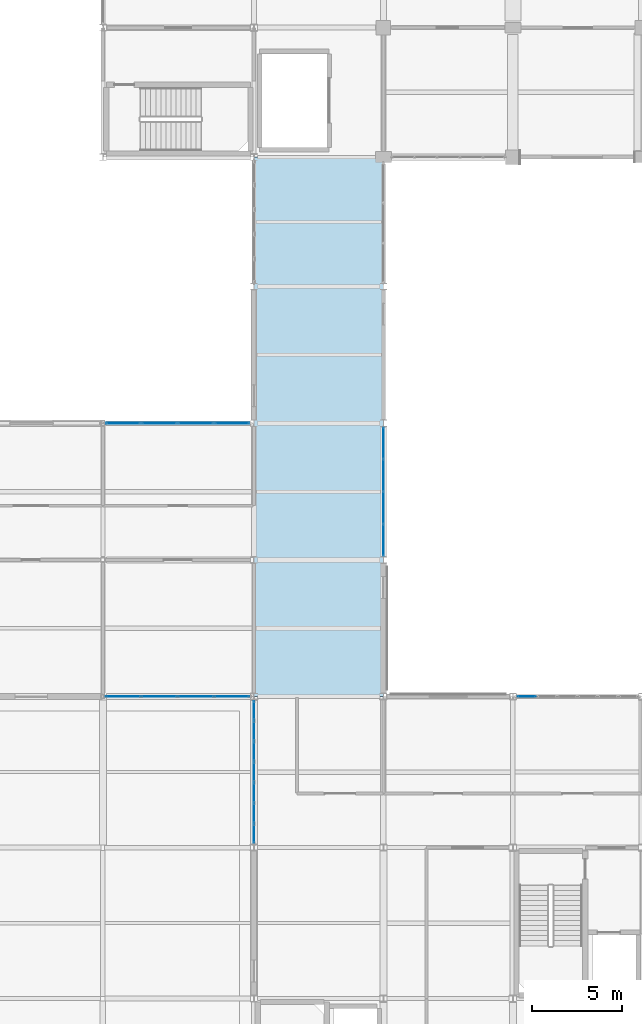
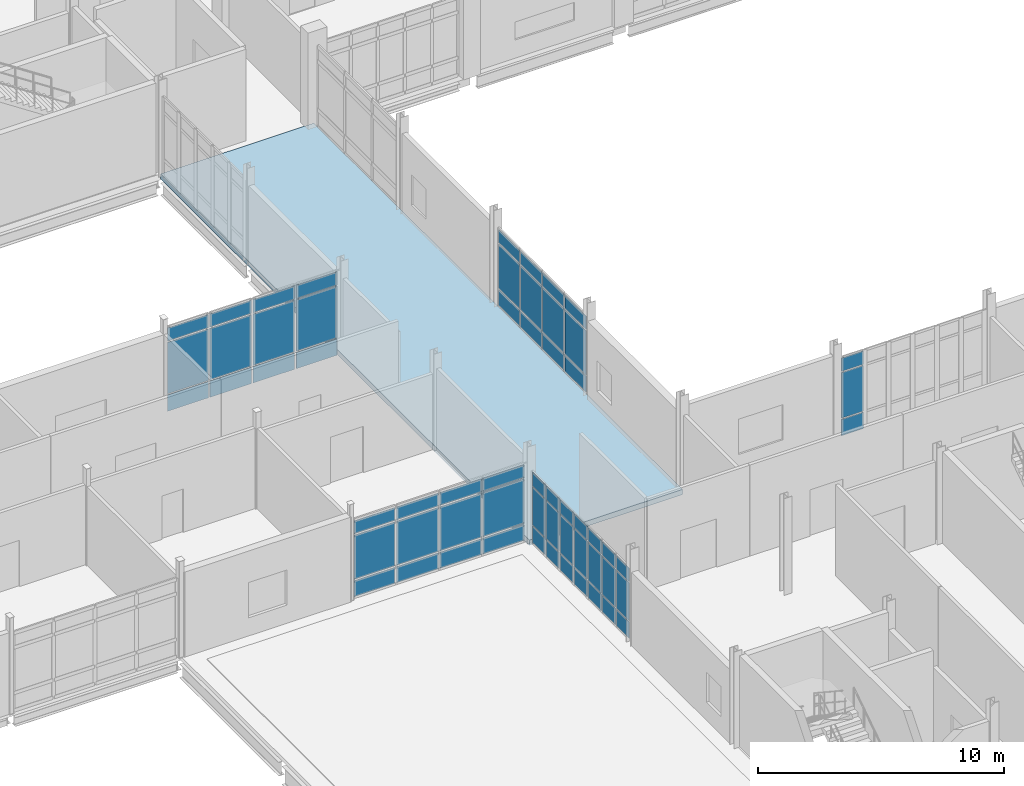
# One storey, part 126 of 186: 60 plates, 1 slab, 5 elements without a shape of their own.
"""IFC4 building model written with IfcOpenShell, lengths in metres."""

from ifc_helpers import new_model, si_unit, direction, frame, origin, origin_2d, place, context, subcontext, project, spatial, polyline, rectangle, outline, extrude, material, layer, layer_set, type_object, element, aggregate, save


model = new_model("IFC4")

# Units and contexts
model_context = context("Model", 3, precision=1e-05, world=origin(), true_north=direction((0.0, 1.0)))
body_context = subcontext(model_context, "Body", "Model", "MODEL_VIEW")
ifc_project = project(units=[si_unit("LENGTHUNIT", "METRE"), si_unit("AREAUNIT", "SQUARE_METRE"), si_unit("VOLUMEUNIT", "CUBIC_METRE"), si_unit("PLANEANGLEUNIT", "RADIAN"), si_unit("MASSUNIT", "GRAM", prefix="KILO")], contexts=[model_context])

# Site, building, storey
site_placement = place(None, origin())
site = spatial("IfcSite", under=ifc_project, at=site_placement, CompositionType="ELEMENT")
building_placement = place(site_placement, origin())
building = spatial("IfcBuilding", under=site, at=building_placement, Name="Calvrana Isthmian Art Gallery", CompositionType="ELEMENT")
storey_placement = place(building_placement, frame((0.0, 0.0, 5.39990234375)))
storey = spatial("IfcBuildingStorey", under=building, at=storey_placement, Name="L01", CompositionType="ELEMENT", Elevation=5.39990234375)

# Curtain wall, plates
ifc_material_1 = material(Name="Anodized bronze aluminium 6063-T6", Category="aluminium")
ifc_layer_1 = layer(ifc_material_1, 0.179931640625, Name="Anodized bronze aluminium 6063-T6")
ifc_layer_set_1 = layer_set([ifc_layer_1], Name="Anodized bronze aluminium 6063-T6")
curtain_wall_type_1 = type_object("IfcCurtainWallType", Name="CW-UNIT-068X40", PredefinedType="USERDEFINED", material=ifc_layer_set_1)
curtain_wall_1_placement = place(storey_placement, origin())
curtain_wall_1 = element("IfcCurtainWall", 1, at=curtain_wall_1_placement, inside=storey, type_object=curtain_wall_type_1, Name="Curtain wall CW-100", ObjectType="UNITISED CURTAIN WALL", PredefinedType="USERDEFINED")
ifc_material_2 = material(Name="Polychrome glazed terracotta", Category="masonry")
ifc_layer_2 = layer(ifc_material_2, 0.033935546875, Name="Polychrome glazed terracotta")
ifc_layer_set_2 = layer_set([ifc_layer_2], Name="Polychrome glazed terracotta")
plate_type_1 = type_object("IfcPlateType", Name="CWP-SPANDREL-34", PredefinedType="CURTAIN_PANEL", material=ifc_layer_set_2)
plate_1_placement = place(storey_placement, frame((127.97314453125, 46.800048828125, 0.06005859375), z_axis=(0.0, 0.0, 1.0), x_axis=(1.0, 0.0, 0.0)))
plate_1 = element("IfcPlate", 2, at=plate_1_placement, type_object=plate_type_1, Name="CW-100 panel 1.1", PredefinedType="CURTAIN_PANEL", context=body_context, shape_type="SweptSolid", body=[
    extrude(rectangle(XDim=1.023193359375, YDim=0.033935546875, at=origin_2d()), origin(), (0.0, 0.0, 1.0), 0.81005859375),
])
plate_2_placement = place(storey_placement, frame((127.97314453125, 46.800048828125, 0.93017578125), z_axis=(0.0, 0.0, 1.0), x_axis=(1.0, 0.0, 0.0)))
plate_2 = element("IfcPlate", 3, at=plate_2_placement, type_object=plate_type_1, Name="CW-100 panel 1.2", PredefinedType="CURTAIN_PANEL", context=body_context, shape_type="SweptSolid", body=[
    extrude(rectangle(XDim=1.023193359375, YDim=0.033935546875, at=origin_2d()), origin(), (0.0, 0.0, 1.0), 2.260986328125),
])
plate_3_placement = place(storey_placement, frame((127.97314453125, 46.800048828125, 3.2509765625), z_axis=(0.0, 0.0, 1.0), x_axis=(1.0, 0.0, 0.0)))
plate_3 = element("IfcPlate", 4, at=plate_3_placement, type_object=plate_type_1, Name="CW-100 panel 1.3", PredefinedType="CURTAIN_PANEL", context=body_context, shape_type="SweptSolid", body=[
    extrude(rectangle(XDim=1.023193359375, YDim=0.033935546875, at=origin_2d()), origin(), (0.0, 0.0, 1.0), 0.659912109375),
])
aggregate(curtain_wall_1, [plate_1, plate_2, plate_3])

ifc_layer_3 = layer(ifc_material_1, 0.179931640625, Name="Anodized bronze aluminium 6063-T6")
ifc_layer_set_3 = layer_set([ifc_layer_3], Name="Anodized bronze aluminium 6063-T6")
curtain_wall_type_2 = type_object("IfcCurtainWallType", Name="CW-UNIT-081X39", PredefinedType="USERDEFINED", material=ifc_layer_set_3)
curtain_wall_2_placement = place(storey_placement, origin())
curtain_wall_2 = element("IfcCurtainWall", 5, at=curtain_wall_2_placement, inside=storey, type_object=curtain_wall_type_2, Name="Curtain wall CW-099", ObjectType="UNITISED CURTAIN WALL", PredefinedType="USERDEFINED")
ifc_material_3 = material(Name="Low-E laminated solar glass", Category="glass")
ifc_layer_4 = layer(ifc_material_3, 0.028076171875, Name="Low-E laminated solar glass")
ifc_layer_set_4 = layer_set([ifc_layer_4], Name="Low-E laminated solar glass")
plate_type_2 = type_object("IfcPlateType", Name="CWP-VISION-28", PredefinedType="CURTAIN_PANEL", material=ifc_layer_set_4)
plate_4_placement = place(storey_placement, frame((111.572021484375, 46.800048828125, 0.074951171875), z_axis=(0.0, 0.0, 1.0), x_axis=(-1.0, 0.0, 0.0)))
plate_4 = element("IfcPlate", 6, at=plate_4_placement, type_object=plate_type_2, Name="CW-099 panel 1.1", PredefinedType="CURTAIN_PANEL", context=body_context, shape_type="SweptSolid", body=[
    extrude(rectangle(XDim=1.920166015625, YDim=0.028076171875, at=origin_2d()), origin(), (0.0, 0.0, 1.0), 0.78759765625),
])
plate_5_placement = place(storey_placement, frame((111.572021484375, 46.800048828125, 0.9375), z_axis=(0.0, 0.0, 1.0), x_axis=(-1.0, 0.0, 0.0)))
plate_5 = element("IfcPlate", 7, at=plate_5_placement, type_object=plate_type_2, Name="CW-099 panel 1.2", PredefinedType="CURTAIN_PANEL", context=body_context, shape_type="SweptSolid", body=[
    extrude(rectangle(XDim=1.920166015625, YDim=0.028076171875, at=origin_2d()), origin(), (0.0, 0.0, 1.0), 2.18310546875),
])
plate_6_placement = place(storey_placement, frame((111.572021484375, 46.800048828125, 3.19580078125), z_axis=(0.0, 0.0, 1.0), x_axis=(-1.0, 0.0, 0.0)))
plate_6 = element("IfcPlate", 8, at=plate_6_placement, type_object=plate_type_2, Name="CW-099 panel 1.3", PredefinedType="CURTAIN_PANEL", context=body_context, shape_type="SweptSolid", body=[
    extrude(rectangle(XDim=1.920166015625, YDim=0.028076171875, at=origin_2d()), origin(), (0.0, 0.0, 1.0), 0.637451171875),
])
plate_7_placement = place(storey_placement, frame((109.564453125, 46.800048828125, 0.074951171875), z_axis=(0.0, 0.0, 1.0), x_axis=(-1.0, 0.0, 0.0)))
plate_7 = element("IfcPlate", 9, at=plate_7_placement, type_object=plate_type_2, Name="CW-099 panel 2.1", PredefinedType="CURTAIN_PANEL", context=body_context, shape_type="SweptSolid", body=[
    extrude(rectangle(XDim=1.955078125, YDim=0.028076171875, at=origin_2d()), origin(), (0.0, 0.0, 1.0), 0.78759765625),
])
plate_8_placement = place(storey_placement, frame((109.564453125, 46.800048828125, 0.9375), z_axis=(0.0, 0.0, 1.0), x_axis=(-1.0, 0.0, 0.0)))
plate_8 = element("IfcPlate", 10, at=plate_8_placement, type_object=plate_type_2, Name="CW-099 panel 2.2", PredefinedType="CURTAIN_PANEL", context=body_context, shape_type="SweptSolid", body=[
    extrude(rectangle(XDim=1.955078125, YDim=0.028076171875, at=origin_2d()), origin(), (0.0, 0.0, 1.0), 2.18310546875),
])
plate_9_placement = place(storey_placement, frame((109.564453125, 46.800048828125, 3.19580078125), z_axis=(0.0, 0.0, 1.0), x_axis=(-1.0, 0.0, 0.0)))
plate_9 = element("IfcPlate", 11, at=plate_9_placement, type_object=plate_type_2, Name="CW-099 panel 2.3", PredefinedType="CURTAIN_PANEL", context=body_context, shape_type="SweptSolid", body=[
    extrude(rectangle(XDim=1.955078125, YDim=0.028076171875, at=origin_2d()), origin(), (0.0, 0.0, 1.0), 0.637451171875),
])
plate_10_placement = place(storey_placement, frame((107.539306640625, 46.800048828125, 0.074951171875), z_axis=(0.0, 0.0, 1.0), x_axis=(-1.0, 0.0, 0.0)))
plate_10 = element("IfcPlate", 12, at=plate_10_placement, type_object=plate_type_2, Name="CW-099 panel 3.1", PredefinedType="CURTAIN_PANEL", context=body_context, shape_type="SweptSolid", body=[
    extrude(rectangle(XDim=1.955078125, YDim=0.028076171875, at=origin_2d()), origin(), (0.0, 0.0, 1.0), 0.78759765625),
])
plate_11_placement = place(storey_placement, frame((107.539306640625, 46.800048828125, 0.9375), z_axis=(0.0, 0.0, 1.0), x_axis=(-1.0, 0.0, 0.0)))
plate_11 = element("IfcPlate", 13, at=plate_11_placement, type_object=plate_type_2, Name="CW-099 panel 3.2", PredefinedType="CURTAIN_PANEL", context=body_context, shape_type="SweptSolid", body=[
    extrude(rectangle(XDim=1.955078125, YDim=0.028076171875, at=origin_2d()), origin(), (0.0, 0.0, 1.0), 2.18310546875),
])
plate_12_placement = place(storey_placement, frame((107.539306640625, 46.800048828125, 3.19580078125), z_axis=(0.0, 0.0, 1.0), x_axis=(-1.0, 0.0, 0.0)))
plate_12 = element("IfcPlate", 14, at=plate_12_placement, type_object=plate_type_2, Name="CW-099 panel 3.3", PredefinedType="CURTAIN_PANEL", context=body_context, shape_type="SweptSolid", body=[
    extrude(rectangle(XDim=1.955078125, YDim=0.028076171875, at=origin_2d()), origin(), (0.0, 0.0, 1.0), 0.637451171875),
])
plate_13_placement = place(storey_placement, frame((105.53173828125, 46.800048828125, 0.074951171875), z_axis=(0.0, 0.0, 1.0), x_axis=(-1.0, 0.0, 0.0)))
plate_13 = element("IfcPlate", 15, at=plate_13_placement, type_object=plate_type_2, Name="CW-099 panel 4.1", PredefinedType="CURTAIN_PANEL", context=body_context, shape_type="SweptSolid", body=[
    extrude(rectangle(XDim=1.920166015625, YDim=0.028076171875, at=origin_2d()), origin(), (0.0, 0.0, 1.0), 0.78759765625),
])
plate_14_placement = place(storey_placement, frame((105.53173828125, 46.800048828125, 0.9375), z_axis=(0.0, 0.0, 1.0), x_axis=(-1.0, 0.0, 0.0)))
plate_14 = element("IfcPlate", 16, at=plate_14_placement, type_object=plate_type_2, Name="CW-099 panel 4.2", PredefinedType="CURTAIN_PANEL", context=body_context, shape_type="SweptSolid", body=[
    extrude(rectangle(XDim=1.920166015625, YDim=0.028076171875, at=origin_2d()), origin(), (0.0, 0.0, 1.0), 2.18310546875),
])
plate_15_placement = place(storey_placement, frame((105.53173828125, 46.800048828125, 3.19580078125), z_axis=(0.0, 0.0, 1.0), x_axis=(-1.0, 0.0, 0.0)))
plate_15 = element("IfcPlate", 17, at=plate_15_placement, type_object=plate_type_2, Name="CW-099 panel 4.3", PredefinedType="CURTAIN_PANEL", context=body_context, shape_type="SweptSolid", body=[
    extrude(rectangle(XDim=1.920166015625, YDim=0.028076171875, at=origin_2d()), origin(), (0.0, 0.0, 1.0), 0.637451171875),
])
aggregate(curtain_wall_2, [plate_4, plate_5, plate_6, plate_7, plate_8, plate_9, plate_10, plate_11, plate_12, plate_13, plate_14, plate_15])

ifc_layer_5 = layer(ifc_material_1, 0.179931640625, Name="Anodized bronze aluminium 6063-T6")
ifc_layer_set_5 = layer_set([ifc_layer_5], Name="Anodized bronze aluminium 6063-T6")
curtain_wall_type_3 = type_object("IfcCurtainWallType", Name="CW-UNIT-081X43", PredefinedType="USERDEFINED", material=ifc_layer_set_5)
curtain_wall_3_placement = place(storey_placement, origin())
curtain_wall_3 = element("IfcCurtainWall", 18, at=curtain_wall_3_placement, inside=storey, type_object=curtain_wall_type_3, Name="Curtain wall CW-107", ObjectType="UNITISED CURTAIN WALL", PredefinedType="USERDEFINED")
plate_16_placement = place(storey_placement, frame((105.535888671875, 62.0, 0.06494140625), z_axis=(0.0, 0.0, 1.0), x_axis=(1.0, 0.0, 0.0)))
plate_16 = element("IfcPlate", 19, at=plate_16_placement, type_object=plate_type_2, Name="CW-107 panel 1.1", PredefinedType="CURTAIN_PANEL", context=body_context, shape_type="SweptSolid", body=[
    extrude(rectangle(XDim=1.90869140625, YDim=0.028076171875, at=origin_2d()), origin(), (0.0, 0.0, 1.0), 0.802490234375),
])
plate_17_placement = place(storey_placement, frame((105.535888671875, 62.0, 0.9326171875), z_axis=(0.0, 0.0, 1.0), x_axis=(1.0, 0.0, 0.0)))
plate_17 = element("IfcPlate", 20, at=plate_17_placement, type_object=plate_type_2, Name="CW-107 panel 1.2", PredefinedType="CURTAIN_PANEL", context=body_context, shape_type="SweptSolid", body=[
    extrude(rectangle(XDim=1.90869140625, YDim=0.028076171875, at=origin_2d()), origin(), (0.0, 0.0, 1.0), 2.551025390625),
])
plate_18_placement = place(storey_placement, frame((105.535888671875, 62.0, 3.54833984375), z_axis=(0.0, 0.0, 1.0), x_axis=(1.0, 0.0, 0.0)))
plate_18 = element("IfcPlate", 21, at=plate_18_placement, type_object=plate_type_2, Name="CW-107 panel 1.3", PredefinedType="CURTAIN_PANEL", context=body_context, shape_type="SweptSolid", body=[
    extrude(rectangle(XDim=1.90869140625, YDim=0.028076171875, at=origin_2d()), origin(), (0.0, 0.0, 1.0), 0.652587890625),
])
plate_19_placement = place(storey_placement, frame((107.54443359375, 62.0, 0.06494140625), z_axis=(0.0, 0.0, 1.0), x_axis=(1.0, 0.0, 0.0)))
plate_19 = element("IfcPlate", 22, at=plate_19_placement, type_object=plate_type_2, Name="CW-107 panel 2.1", PredefinedType="CURTAIN_PANEL", context=body_context, shape_type="SweptSolid", body=[
    extrude(rectangle(XDim=1.948486328125, YDim=0.028076171875, at=origin_2d()), origin(), (0.0, 0.0, 1.0), 0.802490234375),
])
plate_20_placement = place(storey_placement, frame((107.54443359375, 62.0, 0.9326171875), z_axis=(0.0, 0.0, 1.0), x_axis=(1.0, 0.0, 0.0)))
plate_20 = element("IfcPlate", 23, at=plate_20_placement, type_object=plate_type_2, Name="CW-107 panel 2.2", PredefinedType="CURTAIN_PANEL", context=body_context, shape_type="SweptSolid", body=[
    extrude(rectangle(XDim=1.948486328125, YDim=0.028076171875, at=origin_2d()), origin(), (0.0, 0.0, 1.0), 2.551025390625),
])
plate_21_placement = place(storey_placement, frame((107.54443359375, 62.0, 3.54833984375), z_axis=(0.0, 0.0, 1.0), x_axis=(1.0, 0.0, 0.0)))
plate_21 = element("IfcPlate", 24, at=plate_21_placement, type_object=plate_type_2, Name="CW-107 panel 2.3", PredefinedType="CURTAIN_PANEL", context=body_context, shape_type="SweptSolid", body=[
    extrude(rectangle(XDim=1.948486328125, YDim=0.028076171875, at=origin_2d()), origin(), (0.0, 0.0, 1.0), 0.652587890625),
])
plate_22_placement = place(storey_placement, frame((109.572998046875, 62.0, 0.06494140625), z_axis=(0.0, 0.0, 1.0), x_axis=(1.0, 0.0, 0.0)))
plate_22 = element("IfcPlate", 25, at=plate_22_placement, type_object=plate_type_2, Name="CW-107 panel 3.1", PredefinedType="CURTAIN_PANEL", context=body_context, shape_type="SweptSolid", body=[
    extrude(rectangle(XDim=1.948486328125, YDim=0.028076171875, at=origin_2d()), origin(), (0.0, 0.0, 1.0), 0.802490234375),
])
plate_23_placement = place(storey_placement, frame((109.572998046875, 62.0, 0.9326171875), z_axis=(0.0, 0.0, 1.0), x_axis=(1.0, 0.0, 0.0)))
plate_23 = element("IfcPlate", 26, at=plate_23_placement, type_object=plate_type_2, Name="CW-107 panel 3.2", PredefinedType="CURTAIN_PANEL", context=body_context, shape_type="SweptSolid", body=[
    extrude(rectangle(XDim=1.948486328125, YDim=0.028076171875, at=origin_2d()), origin(), (0.0, 0.0, 1.0), 2.551025390625),
])
plate_24_placement = place(storey_placement, frame((109.572998046875, 62.0, 3.54833984375), z_axis=(0.0, 0.0, 1.0), x_axis=(1.0, 0.0, 0.0)))
plate_24 = element("IfcPlate", 27, at=plate_24_placement, type_object=plate_type_2, Name="CW-107 panel 3.3", PredefinedType="CURTAIN_PANEL", context=body_context, shape_type="SweptSolid", body=[
    extrude(rectangle(XDim=1.948486328125, YDim=0.028076171875, at=origin_2d()), origin(), (0.0, 0.0, 1.0), 0.652587890625),
])
plate_25_placement = place(storey_placement, frame((111.581787109375, 62.0, 0.06494140625), z_axis=(0.0, 0.0, 1.0), x_axis=(1.0, 0.0, 0.0)))
plate_25 = element("IfcPlate", 28, at=plate_25_placement, type_object=plate_type_2, Name="CW-107 panel 4.1", PredefinedType="CURTAIN_PANEL", context=body_context, shape_type="SweptSolid", body=[
    extrude(rectangle(XDim=1.90869140625, YDim=0.028076171875, at=origin_2d()), origin(), (0.0, 0.0, 1.0), 0.802490234375),
])
plate_26_placement = place(storey_placement, frame((111.581787109375, 62.0, 0.9326171875), z_axis=(0.0, 0.0, 1.0), x_axis=(1.0, 0.0, 0.0)))
plate_26 = element("IfcPlate", 29, at=plate_26_placement, type_object=plate_type_2, Name="CW-107 panel 4.2", PredefinedType="CURTAIN_PANEL", context=body_context, shape_type="SweptSolid", body=[
    extrude(rectangle(XDim=1.90869140625, YDim=0.028076171875, at=origin_2d()), origin(), (0.0, 0.0, 1.0), 2.551025390625),
])
plate_27_placement = place(storey_placement, frame((111.581787109375, 62.0, 3.54833984375), z_axis=(0.0, 0.0, 1.0), x_axis=(1.0, 0.0, 0.0)))
plate_27 = element("IfcPlate", 30, at=plate_27_placement, type_object=plate_type_2, Name="CW-107 panel 4.3", PredefinedType="CURTAIN_PANEL", context=body_context, shape_type="SweptSolid", body=[
    extrude(rectangle(XDim=1.90869140625, YDim=0.028076171875, at=origin_2d()), origin(), (0.0, 0.0, 1.0), 0.652587890625),
])
aggregate(curtain_wall_3, [plate_16, plate_17, plate_18, plate_19, plate_20, plate_21, plate_22, plate_23, plate_24, plate_25, plate_26, plate_27])

ifc_layer_6 = layer(ifc_material_1, 0.179931640625, Name="Anodized bronze aluminium 6063-T6")
ifc_layer_set_6 = layer_set([ifc_layer_6], Name="Anodized bronze aluminium 6063-T6")
curtain_wall_type_4 = type_object("IfcCurtainWallType", Name="CW-UNIT-080X36", PredefinedType="USERDEFINED", material=ifc_layer_set_6)
curtain_wall_4_placement = place(storey_placement, origin())
curtain_wall_4 = element("IfcCurtainWall", 31, at=curtain_wall_4_placement, inside=storey, type_object=curtain_wall_type_4, Name="Curtain wall CW-136", ObjectType="UNITISED CURTAIN WALL", PredefinedType="USERDEFINED")
plate_28_placement = place(storey_placement, frame((112.800048828125, 39.1796875, 0.06005859375), z_axis=(0.0, 0.0, 1.0), x_axis=(0.0, 1.0, 0.0)))
plate_28 = element("IfcPlate", 32, at=plate_28_placement, type_object=plate_type_2, Name="CW-136 panel 1.1", PredefinedType="CURTAIN_PANEL", context=body_context, shape_type="SweptSolid", body=[
    extrude(rectangle(XDim=1.033447265625, YDim=0.028076171875, at=origin_2d()), origin(), (0.0, 0.0, 1.0), 0.81005859375),
])
plate_29_placement = place(storey_placement, frame((112.800048828125, 39.1796875, 0.93017578125), z_axis=(0.0, 0.0, 1.0), x_axis=(0.0, 1.0, 0.0)))
plate_29 = element("IfcPlate", 33, at=plate_29_placement, type_object=plate_type_2, Name="CW-136 panel 1.2", PredefinedType="CURTAIN_PANEL", context=body_context, shape_type="SweptSolid", body=[
    extrude(rectangle(XDim=1.033447265625, YDim=0.028076171875, at=origin_2d()), origin(), (0.0, 0.0, 1.0), 1.883056640625),
])
plate_30_placement = place(storey_placement, frame((112.800048828125, 39.1796875, 2.873046875), z_axis=(0.0, 0.0, 1.0), x_axis=(0.0, 1.0, 0.0)))
plate_30 = element("IfcPlate", 34, at=plate_30_placement, type_object=plate_type_2, Name="CW-136 panel 1.3", PredefinedType="CURTAIN_PANEL", context=body_context, shape_type="SweptSolid", body=[
    extrude(rectangle(XDim=1.033447265625, YDim=0.028076171875, at=origin_2d()), origin(), (0.0, 0.0, 1.0), 0.659912109375),
])
plate_31_placement = place(storey_placement, frame((112.800048828125, 40.306884765625, 0.06005859375), z_axis=(0.0, 0.0, 1.0), x_axis=(0.0, 1.0, 0.0)))
plate_31 = element("IfcPlate", 35, at=plate_31_placement, type_object=plate_type_2, Name="CW-136 panel 2.1", PredefinedType="CURTAIN_PANEL", context=body_context, shape_type="SweptSolid", body=[
    extrude(rectangle(XDim=1.071044921875, YDim=0.028076171875, at=origin_2d()), origin(), (0.0, 0.0, 1.0), 0.81005859375),
])
plate_32_placement = place(storey_placement, frame((112.800048828125, 40.306884765625, 0.93017578125), z_axis=(0.0, 0.0, 1.0), x_axis=(0.0, 1.0, 0.0)))
plate_32 = element("IfcPlate", 36, at=plate_32_placement, type_object=plate_type_2, Name="CW-136 panel 2.2", PredefinedType="CURTAIN_PANEL", context=body_context, shape_type="SweptSolid", body=[
    extrude(rectangle(XDim=1.071044921875, YDim=0.028076171875, at=origin_2d()), origin(), (0.0, 0.0, 1.0), 1.883056640625),
])
plate_33_placement = place(storey_placement, frame((112.800048828125, 40.306884765625, 2.873046875), z_axis=(0.0, 0.0, 1.0), x_axis=(0.0, 1.0, 0.0)))
plate_33 = element("IfcPlate", 37, at=plate_33_placement, type_object=plate_type_2, Name="CW-136 panel 2.3", PredefinedType="CURTAIN_PANEL", context=body_context, shape_type="SweptSolid", body=[
    extrude(rectangle(XDim=1.071044921875, YDim=0.028076171875, at=origin_2d()), origin(), (0.0, 0.0, 1.0), 0.659912109375),
])
plate_34_placement = place(storey_placement, frame((112.800048828125, 41.452880859375, 0.06005859375), z_axis=(0.0, 0.0, 1.0), x_axis=(0.0, 1.0, 0.0)))
plate_34 = element("IfcPlate", 38, at=plate_34_placement, type_object=plate_type_2, Name="CW-136 panel 3.1", PredefinedType="CURTAIN_PANEL", context=body_context, shape_type="SweptSolid", body=[
    extrude(rectangle(XDim=1.071044921875, YDim=0.028076171875, at=origin_2d()), origin(), (0.0, 0.0, 1.0), 0.81005859375),
])
plate_35_placement = place(storey_placement, frame((112.800048828125, 41.452880859375, 0.93017578125), z_axis=(0.0, 0.0, 1.0), x_axis=(0.0, 1.0, 0.0)))
plate_35 = element("IfcPlate", 39, at=plate_35_placement, type_object=plate_type_2, Name="CW-136 panel 3.2", PredefinedType="CURTAIN_PANEL", context=body_context, shape_type="SweptSolid", body=[
    extrude(rectangle(XDim=1.071044921875, YDim=0.028076171875, at=origin_2d()), origin(), (0.0, 0.0, 1.0), 1.883056640625),
])
plate_36_placement = place(storey_placement, frame((112.800048828125, 41.452880859375, 2.873046875), z_axis=(0.0, 0.0, 1.0), x_axis=(0.0, 1.0, 0.0)))
plate_36 = element("IfcPlate", 40, at=plate_36_placement, type_object=plate_type_2, Name="CW-136 panel 3.3", PredefinedType="CURTAIN_PANEL", context=body_context, shape_type="SweptSolid", body=[
    extrude(rectangle(XDim=1.071044921875, YDim=0.028076171875, at=origin_2d()), origin(), (0.0, 0.0, 1.0), 0.659912109375),
])
plate_37_placement = place(storey_placement, frame((112.800048828125, 42.5986328125, 0.06005859375), z_axis=(0.0, 0.0, 1.0), x_axis=(0.0, 1.0, 0.0)))
plate_37 = element("IfcPlate", 41, at=plate_37_placement, type_object=plate_type_2, Name="CW-136 panel 4.1", PredefinedType="CURTAIN_PANEL", context=body_context, shape_type="SweptSolid", body=[
    extrude(rectangle(XDim=1.071044921875, YDim=0.028076171875, at=origin_2d()), origin(), (0.0, 0.0, 1.0), 0.81005859375),
])
plate_38_placement = place(storey_placement, frame((112.800048828125, 42.5986328125, 0.93017578125), z_axis=(0.0, 0.0, 1.0), x_axis=(0.0, 1.0, 0.0)))
plate_38 = element("IfcPlate", 42, at=plate_38_placement, type_object=plate_type_2, Name="CW-136 panel 4.2", PredefinedType="CURTAIN_PANEL", context=body_context, shape_type="SweptSolid", body=[
    extrude(rectangle(XDim=1.071044921875, YDim=0.028076171875, at=origin_2d()), origin(), (0.0, 0.0, 1.0), 1.883056640625),
])
plate_39_placement = place(storey_placement, frame((112.800048828125, 42.5986328125, 2.873046875), z_axis=(0.0, 0.0, 1.0), x_axis=(0.0, 1.0, 0.0)))
plate_39 = element("IfcPlate", 43, at=plate_39_placement, type_object=plate_type_2, Name="CW-136 panel 4.3", PredefinedType="CURTAIN_PANEL", context=body_context, shape_type="SweptSolid", body=[
    extrude(rectangle(XDim=1.071044921875, YDim=0.028076171875, at=origin_2d()), origin(), (0.0, 0.0, 1.0), 0.659912109375),
])
plate_40_placement = place(storey_placement, frame((112.800048828125, 43.74462890625, 0.06005859375), z_axis=(0.0, 0.0, 1.0), x_axis=(0.0, 1.0, 0.0)))
plate_40 = element("IfcPlate", 44, at=plate_40_placement, type_object=plate_type_2, Name="CW-136 panel 5.1", PredefinedType="CURTAIN_PANEL", context=body_context, shape_type="SweptSolid", body=[
    extrude(rectangle(XDim=1.071044921875, YDim=0.028076171875, at=origin_2d()), origin(), (0.0, 0.0, 1.0), 0.81005859375),
])
plate_41_placement = place(storey_placement, frame((112.800048828125, 43.74462890625, 0.93017578125), z_axis=(0.0, 0.0, 1.0), x_axis=(0.0, 1.0, 0.0)))
plate_41 = element("IfcPlate", 45, at=plate_41_placement, type_object=plate_type_2, Name="CW-136 panel 5.2", PredefinedType="CURTAIN_PANEL", context=body_context, shape_type="SweptSolid", body=[
    extrude(rectangle(XDim=1.071044921875, YDim=0.028076171875, at=origin_2d()), origin(), (0.0, 0.0, 1.0), 1.883056640625),
])
plate_42_placement = place(storey_placement, frame((112.800048828125, 43.74462890625, 2.873046875), z_axis=(0.0, 0.0, 1.0), x_axis=(0.0, 1.0, 0.0)))
plate_42 = element("IfcPlate", 46, at=plate_42_placement, type_object=plate_type_2, Name="CW-136 panel 5.3", PredefinedType="CURTAIN_PANEL", context=body_context, shape_type="SweptSolid", body=[
    extrude(rectangle(XDim=1.071044921875, YDim=0.028076171875, at=origin_2d()), origin(), (0.0, 0.0, 1.0), 0.659912109375),
])
plate_43_placement = place(storey_placement, frame((112.800048828125, 44.890625, 0.06005859375), z_axis=(0.0, 0.0, 1.0), x_axis=(0.0, 1.0, 0.0)))
plate_43 = element("IfcPlate", 47, at=plate_43_placement, type_object=plate_type_2, Name="CW-136 panel 6.1", PredefinedType="CURTAIN_PANEL", context=body_context, shape_type="SweptSolid", body=[
    extrude(rectangle(XDim=1.071044921875, YDim=0.028076171875, at=origin_2d()), origin(), (0.0, 0.0, 1.0), 0.81005859375),
])
plate_44_placement = place(storey_placement, frame((112.800048828125, 44.890625, 0.93017578125), z_axis=(0.0, 0.0, 1.0), x_axis=(0.0, 1.0, 0.0)))
plate_44 = element("IfcPlate", 48, at=plate_44_placement, type_object=plate_type_2, Name="CW-136 panel 6.2", PredefinedType="CURTAIN_PANEL", context=body_context, shape_type="SweptSolid", body=[
    extrude(rectangle(XDim=1.071044921875, YDim=0.028076171875, at=origin_2d()), origin(), (0.0, 0.0, 1.0), 1.883056640625),
])
plate_45_placement = place(storey_placement, frame((112.800048828125, 44.890625, 2.873046875), z_axis=(0.0, 0.0, 1.0), x_axis=(0.0, 1.0, 0.0)))
plate_45 = element("IfcPlate", 49, at=plate_45_placement, type_object=plate_type_2, Name="CW-136 panel 6.3", PredefinedType="CURTAIN_PANEL", context=body_context, shape_type="SweptSolid", body=[
    extrude(rectangle(XDim=1.071044921875, YDim=0.028076171875, at=origin_2d()), origin(), (0.0, 0.0, 1.0), 0.659912109375),
])
plate_46_placement = place(storey_placement, frame((112.800048828125, 46.017822265625, 0.06005859375), z_axis=(0.0, 0.0, 1.0), x_axis=(0.0, 1.0, 0.0)))
plate_46 = element("IfcPlate", 50, at=plate_46_placement, type_object=plate_type_2, Name="CW-136 panel 7.1", PredefinedType="CURTAIN_PANEL", context=body_context, shape_type="SweptSolid", body=[
    extrude(rectangle(XDim=1.033447265625, YDim=0.028076171875, at=origin_2d()), origin(), (0.0, 0.0, 1.0), 0.81005859375),
])
plate_47_placement = place(storey_placement, frame((112.800048828125, 46.017822265625, 0.93017578125), z_axis=(0.0, 0.0, 1.0), x_axis=(0.0, 1.0, 0.0)))
plate_47 = element("IfcPlate", 51, at=plate_47_placement, type_object=plate_type_2, Name="CW-136 panel 7.2", PredefinedType="CURTAIN_PANEL", context=body_context, shape_type="SweptSolid", body=[
    extrude(rectangle(XDim=1.033447265625, YDim=0.028076171875, at=origin_2d()), origin(), (0.0, 0.0, 1.0), 1.883056640625),
])
plate_48_placement = place(storey_placement, frame((112.800048828125, 46.017822265625, 2.873046875), z_axis=(0.0, 0.0, 1.0), x_axis=(0.0, 1.0, 0.0)))
plate_48 = element("IfcPlate", 52, at=plate_48_placement, type_object=plate_type_2, Name="CW-136 panel 7.3", PredefinedType="CURTAIN_PANEL", context=body_context, shape_type="SweptSolid", body=[
    extrude(rectangle(XDim=1.033447265625, YDim=0.028076171875, at=origin_2d()), origin(), (0.0, 0.0, 1.0), 0.659912109375),
])
aggregate(curtain_wall_4, [plate_28, plate_29, plate_30, plate_31, plate_32, plate_33, plate_34, plate_35, plate_36, plate_37, plate_38, plate_39, plate_40, plate_41, plate_42, plate_43, plate_44, plate_45, plate_46, plate_47, plate_48])

ifc_layer_7 = layer(ifc_material_1, 0.179931640625, Name="Anodized bronze aluminium 6063-T6")
ifc_layer_set_7 = layer_set([ifc_layer_7], Name="Anodized bronze aluminium 6063-T6")
curtain_wall_type_5 = type_object("IfcCurtainWallType", Name="CW-STICK-072X39", PredefinedType="NOTDEFINED", material=ifc_layer_set_7)
curtain_wall_5_placement = place(storey_placement, origin())
curtain_wall_5 = element("IfcCurtainWall", 53, at=curtain_wall_5_placement, inside=storey, type_object=curtain_wall_type_5, Name="Curtain wall CW-138", PredefinedType="NOTDEFINED")
plate_49_placement = place(storey_placement, frame((120.0, 60.894775390625, 0.070068359375), z_axis=(0.0, 0.0, 1.0), x_axis=(0.0, -1.0, 0.0)))
plate_49 = element("IfcPlate", 54, at=plate_49_placement, type_object=plate_type_2, Name="CW-138 panel 1.1", PredefinedType="CURTAIN_PANEL", context=body_context, shape_type="SweptSolid", body=[
    extrude(rectangle(XDim=1.71728515625, YDim=0.028076171875, at=origin_2d()), origin(), (0.0, 0.0, 1.0), 0.794921875),
])
plate_50_placement = place(storey_placement, frame((120.0, 60.894775390625, 0.93505859375), z_axis=(0.0, 0.0, 1.0), x_axis=(0.0, -1.0, 0.0)))
plate_50 = element("IfcPlate", 55, at=plate_50_placement, type_object=plate_type_2, Name="CW-138 panel 1.2", PredefinedType="CURTAIN_PANEL", context=body_context, shape_type="SweptSolid", body=[
    extrude(rectangle(XDim=1.71728515625, YDim=0.028076171875, at=origin_2d()), origin(), (0.0, 0.0, 1.0), 2.193115234375),
])
plate_51_placement = place(storey_placement, frame((120.0, 60.894775390625, 3.197998046875), z_axis=(0.0, 0.0, 1.0), x_axis=(0.0, -1.0, 0.0)))
plate_51 = element("IfcPlate", 56, at=plate_51_placement, type_object=plate_type_2, Name="CW-138 panel 1.3", PredefinedType="CURTAIN_PANEL", context=body_context, shape_type="SweptSolid", body=[
    extrude(rectangle(XDim=1.71728515625, YDim=0.028076171875, at=origin_2d()), origin(), (0.0, 0.0, 1.0), 0.64501953125),
])
plate_52_placement = place(storey_placement, frame((120.0, 59.1025390625, 0.070068359375), z_axis=(0.0, 0.0, 1.0), x_axis=(0.0, -1.0, 0.0)))
plate_52 = element("IfcPlate", 57, at=plate_52_placement, type_object=plate_type_2, Name="CW-138 panel 2.1", PredefinedType="CURTAIN_PANEL", context=body_context, shape_type="SweptSolid", body=[
    extrude(rectangle(XDim=1.747314453125, YDim=0.028076171875, at=origin_2d()), origin(), (0.0, 0.0, 1.0), 0.794921875),
])
plate_53_placement = place(storey_placement, frame((120.0, 59.1025390625, 0.93505859375), z_axis=(0.0, 0.0, 1.0), x_axis=(0.0, -1.0, 0.0)))
plate_53 = element("IfcPlate", 58, at=plate_53_placement, type_object=plate_type_2, Name="CW-138 panel 2.2", PredefinedType="CURTAIN_PANEL", context=body_context, shape_type="SweptSolid", body=[
    extrude(rectangle(XDim=1.747314453125, YDim=0.028076171875, at=origin_2d()), origin(), (0.0, 0.0, 1.0), 2.193115234375),
])
plate_54_placement = place(storey_placement, frame((120.0, 59.1025390625, 3.197998046875), z_axis=(0.0, 0.0, 1.0), x_axis=(0.0, -1.0, 0.0)))
plate_54 = element("IfcPlate", 59, at=plate_54_placement, type_object=plate_type_2, Name="CW-138 panel 2.3", PredefinedType="CURTAIN_PANEL", context=body_context, shape_type="SweptSolid", body=[
    extrude(rectangle(XDim=1.747314453125, YDim=0.028076171875, at=origin_2d()), origin(), (0.0, 0.0, 1.0), 0.64501953125),
])
plate_55_placement = place(storey_placement, frame((120.0, 57.295166015625, 0.070068359375), z_axis=(0.0, 0.0, 1.0), x_axis=(0.0, -1.0, 0.0)))
plate_55 = element("IfcPlate", 60, at=plate_55_placement, type_object=plate_type_2, Name="CW-138 panel 3.1", PredefinedType="CURTAIN_PANEL", context=body_context, shape_type="SweptSolid", body=[
    extrude(rectangle(XDim=1.747314453125, YDim=0.028076171875, at=origin_2d()), origin(), (0.0, 0.0, 1.0), 0.794921875),
])
plate_56_placement = place(storey_placement, frame((120.0, 57.295166015625, 0.93505859375), z_axis=(0.0, 0.0, 1.0), x_axis=(0.0, -1.0, 0.0)))
plate_56 = element("IfcPlate", 61, at=plate_56_placement, type_object=plate_type_2, Name="CW-138 panel 3.2", PredefinedType="CURTAIN_PANEL", context=body_context, shape_type="SweptSolid", body=[
    extrude(rectangle(XDim=1.747314453125, YDim=0.028076171875, at=origin_2d()), origin(), (0.0, 0.0, 1.0), 2.193115234375),
])
plate_57_placement = place(storey_placement, frame((120.0, 57.295166015625, 3.197998046875), z_axis=(0.0, 0.0, 1.0), x_axis=(0.0, -1.0, 0.0)))
plate_57 = element("IfcPlate", 62, at=plate_57_placement, type_object=plate_type_2, Name="CW-138 panel 3.3", PredefinedType="CURTAIN_PANEL", context=body_context, shape_type="SweptSolid", body=[
    extrude(rectangle(XDim=1.747314453125, YDim=0.028076171875, at=origin_2d()), origin(), (0.0, 0.0, 1.0), 0.64501953125),
])
plate_58_placement = place(storey_placement, frame((120.0, 55.502685546875, 0.070068359375), z_axis=(0.0, 0.0, 1.0), x_axis=(0.0, -1.0, 0.0)))
plate_58 = element("IfcPlate", 63, at=plate_58_placement, type_object=plate_type_2, Name="CW-138 panel 4.1", PredefinedType="CURTAIN_PANEL", context=body_context, shape_type="SweptSolid", body=[
    extrude(rectangle(XDim=1.71728515625, YDim=0.028076171875, at=origin_2d()), origin(), (0.0, 0.0, 1.0), 0.794921875),
])
plate_59_placement = place(storey_placement, frame((120.0, 55.502685546875, 0.93505859375), z_axis=(0.0, 0.0, 1.0), x_axis=(0.0, -1.0, 0.0)))
plate_59 = element("IfcPlate", 64, at=plate_59_placement, type_object=plate_type_2, Name="CW-138 panel 4.2", PredefinedType="CURTAIN_PANEL", context=body_context, shape_type="SweptSolid", body=[
    extrude(rectangle(XDim=1.71728515625, YDim=0.028076171875, at=origin_2d()), origin(), (0.0, 0.0, 1.0), 2.193115234375),
])
plate_60_placement = place(storey_placement, frame((120.0, 55.502685546875, 3.197998046875), z_axis=(0.0, 0.0, 1.0), x_axis=(0.0, -1.0, 0.0)))
plate_60 = element("IfcPlate", 65, at=plate_60_placement, type_object=plate_type_2, Name="CW-138 panel 4.3", PredefinedType="CURTAIN_PANEL", context=body_context, shape_type="SweptSolid", body=[
    extrude(rectangle(XDim=1.71728515625, YDim=0.028076171875, at=origin_2d()), origin(), (0.0, 0.0, 1.0), 0.64501953125),
])
aggregate(curtain_wall_5, [plate_49, plate_50, plate_51, plate_52, plate_53, plate_54, plate_55, plate_56, plate_57, plate_58, plate_59, plate_60])

# Slab
ifc_material_4 = material(Name="Concrete C40/50", Category="concrete")
ifc_layer_8 = layer(ifc_material_4, 0.260009765625, Name="Concrete C40/50")
ifc_layer_set_8 = layer_set([ifc_layer_8], Name="Concrete C40/50")
slab_type = type_object("IfcSlabType", Name="SLB-GAL-260", PredefinedType="FLOOR", material=ifc_layer_set_8)
slab_placement = place(storey_placement, frame((0.0, 0.0, -0.260009765625)))
element("IfcSlab", 66, at=slab_placement, inside=storey, type_object=slab_type, Name="Floor slab V5L_L01", PredefinedType="FLOOR", context=body_context, shape_type="SweptSolid", body=[
    extrude(outline(polyline([(112.800048828125, 46.800048828125), (120.0, 46.800048828125), (120.0, 76.800048828125), (112.800048828125, 76.800048828125), (112.800048828125, 46.800048828125)])), origin(), (0.0, 0.0, 1.0), 0.260009765625),
])

save(model, "model.ifc")
